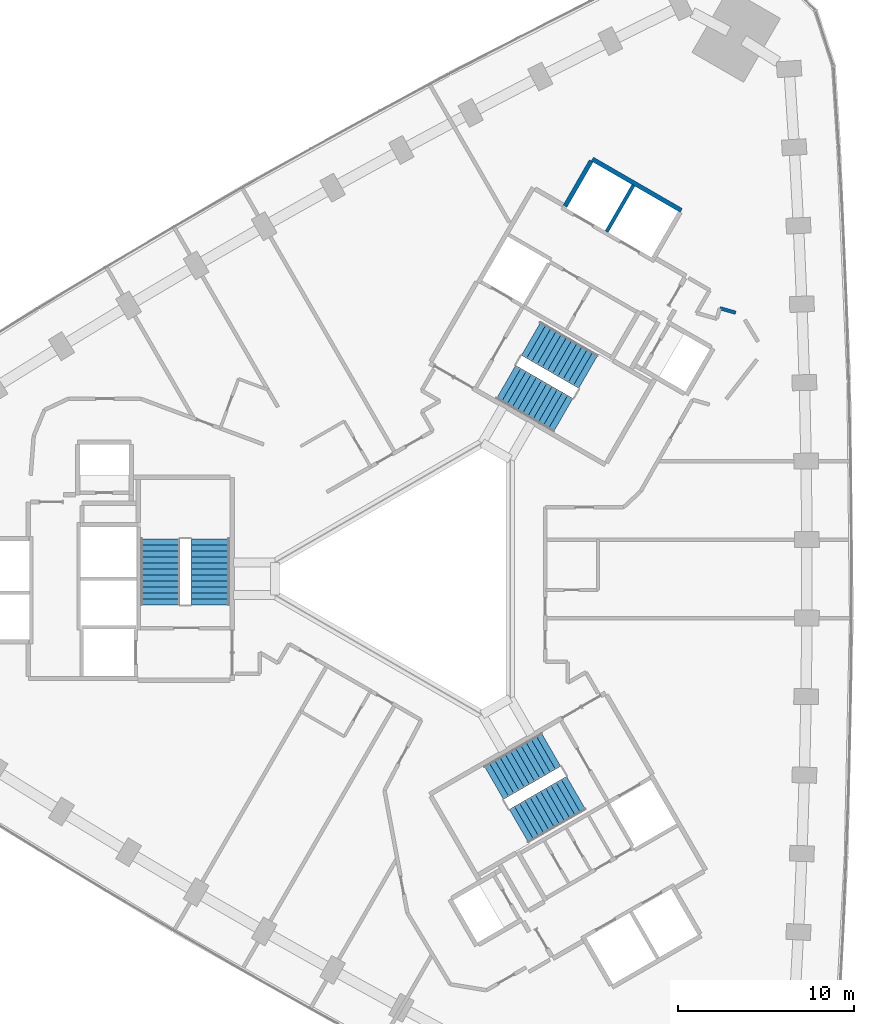
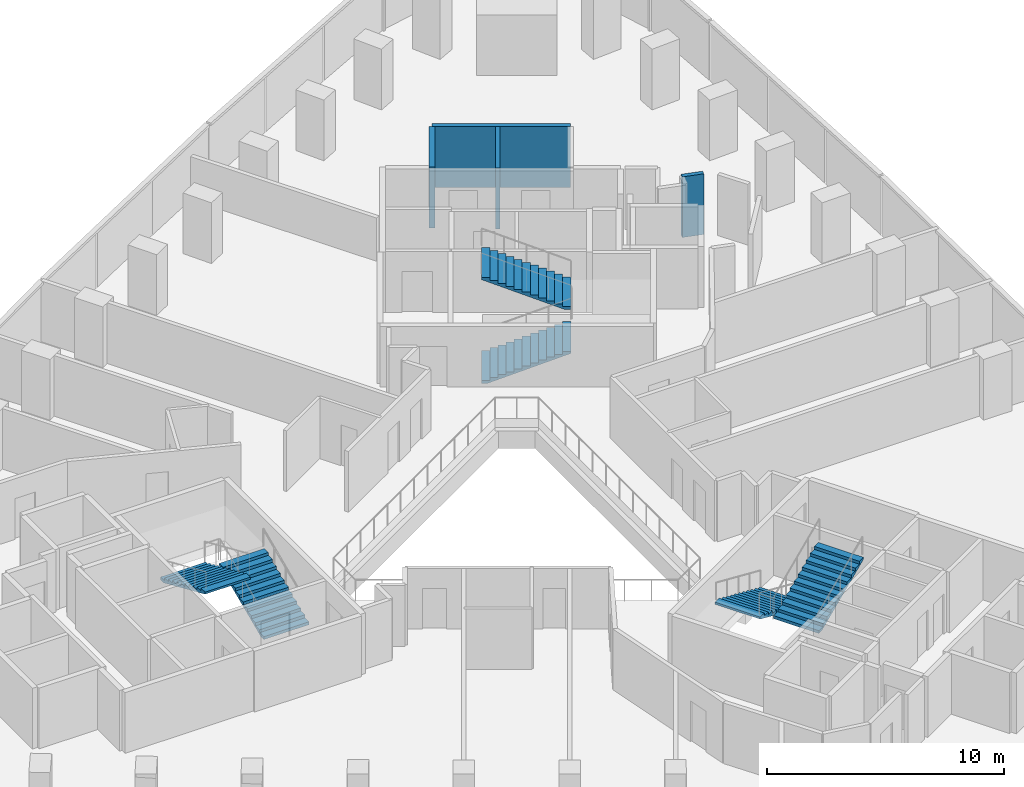
# One storey, part 12 of 13: 6 stair flights, 4 walls, 3 elements without a shape of their own.
"""IFC4 building model written with IfcOpenShell, lengths in metres."""

from ifc_helpers import new_model, si_unit, direction, frame, frame_2d, origin, place, context, subcontext, project, spatial, polyline, rectangle, outline, extrude, material, layer, layer_set, type_object, element, aggregate, save


model = new_model("IFC4")

# Units and contexts
model_context = context("Model", 3, precision=1e-05, world=origin(), true_north=direction((0.0, 1.0)))
body_context = subcontext(model_context, "Body", "Model", "MODEL_VIEW")
ifc_project = project(units=[si_unit("LENGTHUNIT", "METRE"), si_unit("AREAUNIT", "SQUARE_METRE"), si_unit("VOLUMEUNIT", "CUBIC_METRE"), si_unit("PLANEANGLEUNIT", "RADIAN"), si_unit("MASSUNIT", "GRAM", prefix="KILO")], contexts=[model_context])

# Site, building, storey
site_placement = place(None, origin())
site = spatial("IfcSite", under=ifc_project, at=site_placement, CompositionType="ELEMENT")
building_placement = place(site_placement, origin())
building = spatial("IfcBuilding", under=site, at=building_placement, Name="Tamra Quay Hotel Tower", CompositionType="ELEMENT")
storey_placement = place(building_placement, frame((0.0, 0.0, 60.199951171875)))
storey = spatial("IfcBuildingStorey", under=building, at=storey_placement, Name="L13", CompositionType="ELEMENT", Elevation=60.199951171875)

# Walls
ifc_material_1 = material(Name="Concrete M70", Category="concrete")
ifc_layer_1 = layer(ifc_material_1, 0.199951171875)
ifc_layer_set_1 = layer_set([ifc_layer_1], Name="Concrete M70 core wall 200")
wall_type_1 = type_object("IfcWallType", Name="Concrete M70 core wall 200", PredefinedType="SHEAR", material=ifc_layer_set_1)
wall_1_placement = place(storey_placement, frame((10.48876953125, 19.76708984375, 0.0), z_axis=(0.0, 0.0, 1.0), x_axis=(0.499946628782, 0.866056215479, 0.0)))
element("IfcWall", 1, at=wall_1_placement, inside=storey, type_object=wall_type_1, Name="CW2", PredefinedType="SHEAR", context=body_context, shape_type="SweptSolid", body=[
    extrude(rectangle(XDim=3.048095703125, YDim=0.199951171875, at=frame_2d((1.52392578125, 0.0))), origin(), (0.0, 0.0, 1.0), 3.125),
])
ifc_layer_2 = layer(ifc_material_1, 0.25)
ifc_layer_set_2 = layer_set([ifc_layer_2], Name="Concrete M70 core wall 250")
wall_type_2 = type_object("IfcWallType", Name="Concrete M70 core wall 250", PredefinedType="SHEAR", material=ifc_layer_set_2)
wall_2_placement = place(storey_placement, frame((9.672607421875, 23.9033203125, 0.0), z_axis=(0.0, 0.0, 1.0), x_axis=(0.86603616409, -0.499981362141, 0.0)))
element("IfcWall", 2, at=wall_2_placement, inside=storey, type_object=wall_type_2, Name="CW1", PredefinedType="SHEAR", context=body_context, shape_type="SweptSolid", body=[
    extrude(rectangle(XDim=5.849853515625, YDim=0.25, at=frame_2d((2.9248046875, 0.0))), origin(), (0.0, 0.0, 1.0), 3.125),
])
wall_3_placement = place(storey_placement, frame((8.12255859375, 21.21875, 0.0), z_axis=(0.0, 0.0, 1.0), x_axis=(0.499987686533, 0.866032512851, 0.0)))
element("IfcWall", 3, at=wall_3_placement, inside=storey, type_object=wall_type_2, Name="CW1", PredefinedType="SHEAR", context=body_context, shape_type="SweptSolid", body=[
    extrude(rectangle(XDim=2.974609375, YDim=0.25, at=frame_2d((1.4873046875, 0.0))), origin(), (0.0, 0.0, 1.0), 3.125),
])
ifc_material_2 = material(Name="Partition corridor wall")
ifc_layer_3 = layer(ifc_material_2, 0.199951171875)
ifc_layer_set_3 = layer_set([ifc_layer_3], Name="Partition corridor wall")
wall_type_3 = type_object("IfcWallType", Name="Partition corridor wall", PredefinedType="PARTITIONING", material=ifc_layer_set_3)
wall_4_placement = place(storey_placement, frame((16.93505859375, 15.409912109375, 0.0), z_axis=(0.0, 0.0, 1.0), x_axis=(0.961602664273, -0.274445470107, 0.0)))
element("IfcWall", 4, at=wall_4_placement, inside=storey, type_object=wall_type_3, Name="W-C", PredefinedType="PARTITIONING", context=body_context, shape_type="SweptSolid", body=[
    extrude(rectangle(XDim=0.935791015625, YDim=0.199951171875, at=frame_2d((0.4677734375, 0.0))), origin(), (0.0, 0.0, 1.0), 3.125),
])

# Stair, stair flights
ifc_material_3 = material(Name="Exit stair 2200 24 risers 150.0 going 342")
stair_type = type_object("IfcStairType", Name="Exit stair 2200 24 risers 150.0 going 342", PredefinedType="HALF_TURN_STAIR", material=ifc_material_3)
stair_1_placement = place(storey_placement, origin())
stair_1 = element("IfcStair", 5, at=stair_1_placement, inside=storey, type_object=stair_type, Name="L13 Exit stair ST3", PredefinedType="HALF_TURN_STAIR")
ifc_material_4 = material(Name="Exit stair flight 2200 12 risers 150.0")
stair_flight_type = type_object("IfcStairFlightType", Name="Exit stair flight 2200 12 risers 150.0", PredefinedType="STRAIGHT", material=ifc_material_4)
stair_flight_1_placement = place(storey_placement, frame((-12.082275390625, -1.47998046875, 0.0), z_axis=(0.0, 0.0, 1.0), x_axis=(0.0, 1.0, 0.0)))
stair_flight_1 = element("IfcStairFlight", 6, at=stair_flight_1_placement, type_object=stair_flight_type, Name="ST3 flight 1", NumberOfRisers=12, NumberOfTreads=11, PredefinedType="STRAIGHT", RiserHeight=0.15, TreadLength=0.342, context=body_context, shape_type="SweptSolid", body=[
    extrude(outline(polyline([(0.0, 0.0), (0.0, 0.14990234375), (0.342041015625, 0.14990234375), (0.342041015625, 0.300048828125), (0.68408203125, 0.300048828125), (0.68408203125, 0.449951171875), (1.02587890625, 0.449951171875), (1.02587890625, 0.60009765625), (1.367919921875, 0.60009765625), (1.367919921875, 0.75), (1.7099609375, 0.75), (1.7099609375, 0.89990234375), (2.052001953125, 0.89990234375), (2.052001953125, 1.050048828125), (2.39404296875, 1.050048828125), (2.39404296875, 1.199951171875), (2.736083984375, 1.199951171875), (2.736083984375, 1.35009765625), (3.077880859375, 1.35009765625), (3.077880859375, 1.5), (3.419921875, 1.5), (3.419921875, 1.64990234375), (3.761962890625, 1.64990234375), (3.761962890625, 1.800048828125), (3.761962890625, 1.540771484375), (0.249267578125, 0.0), (0.0, 0.0)])), frame((0.0, 1.10009765625, 0.0), z_axis=(0.0, -1.0, 0.0), x_axis=(1.0, 0.0, 0.0)), (0.0, 0.0, 1.0), 2.199951171875),
])
stair_flight_2_placement = place(storey_placement, frame((-14.94140625, 2.281982421875, 1.800048828125), z_axis=(0.0, 0.0, 1.0), x_axis=(0.0, -1.0, 0.0)))
stair_flight_2 = element("IfcStairFlight", 7, at=stair_flight_2_placement, type_object=stair_flight_type, Name="ST3 flight 2", NumberOfRisers=12, NumberOfTreads=11, PredefinedType="STRAIGHT", RiserHeight=0.15, TreadLength=0.342, context=body_context, shape_type="SweptSolid", body=[
    extrude(outline(polyline([(0.0, 0.0), (0.0, 0.14990234375), (0.342041015625, 0.14990234375), (0.342041015625, 0.300048828125), (0.68408203125, 0.300048828125), (0.68408203125, 0.449951171875), (1.02587890625, 0.449951171875), (1.02587890625, 0.60009765625), (1.367919921875, 0.60009765625), (1.367919921875, 0.75), (1.7099609375, 0.75), (1.7099609375, 0.89990234375), (2.052001953125, 0.89990234375), (2.052001953125, 1.050048828125), (2.39404296875, 1.050048828125), (2.39404296875, 1.199951171875), (2.736083984375, 1.199951171875), (2.736083984375, 1.35009765625), (3.077880859375, 1.35009765625), (3.077880859375, 1.5), (3.419921875, 1.5), (3.419921875, 1.64990234375), (3.761962890625, 1.64990234375), (3.761962890625, 1.800048828125), (3.761962890625, 1.540771484375), (0.249267578125, 0.0), (0.0, 0.0)])), frame((0.0, 1.10009765625, 0.0), z_axis=(0.0, -1.0, 0.0), x_axis=(1.0, 0.0, 0.0)), (0.0, 0.0, 1.0), 2.199951171875),
])
aggregate(stair_1, [stair_flight_1, stair_flight_2])

stair_2_placement = place(storey_placement, origin())
stair_2 = element("IfcStair", 8, at=stair_2_placement, inside=storey, type_object=stair_type, Name="L13 Exit stair ST1", PredefinedType="HALF_TURN_STAIR")
stair_flight_3_placement = place(storey_placement, frame((4.75927734375, 11.20361328125, 0.0), z_axis=(0.0, 0.0, 1.0), x_axis=(0.866025403784, -0.5, 0.0)))
stair_flight_3 = element("IfcStairFlight", 9, at=stair_flight_3_placement, type_object=stair_flight_type, Name="ST1 flight 1", NumberOfRisers=12, NumberOfTreads=11, PredefinedType="STRAIGHT", RiserHeight=0.15, TreadLength=0.342, context=body_context, shape_type="SweptSolid", body=[
    extrude(outline(polyline([(0.0, 0.0), (0.0, 0.14990234375), (0.342041015625, 0.14990234375), (0.342041015625, 0.300048828125), (0.68408203125, 0.300048828125), (0.68408203125, 0.449951171875), (1.02587890625, 0.449951171875), (1.02587890625, 0.60009765625), (1.367919921875, 0.60009765625), (1.367919921875, 0.75), (1.7099609375, 0.75), (1.7099609375, 0.89990234375), (2.052001953125, 0.89990234375), (2.052001953125, 1.050048828125), (2.39404296875, 1.050048828125), (2.39404296875, 1.199951171875), (2.736083984375, 1.199951171875), (2.736083984375, 1.35009765625), (3.077880859375, 1.35009765625), (3.077880859375, 1.5), (3.419921875, 1.5), (3.419921875, 1.64990234375), (3.761962890625, 1.64990234375), (3.761962890625, 1.800048828125), (3.761962890625, 1.540771484375), (0.249267578125, 0.0), (0.0, 0.0)])), frame((0.0, 1.10009765625, 0.0), z_axis=(0.0, -1.0, 0.0), x_axis=(1.0, 0.0, 0.0)), (0.0, 0.0, 1.0), 2.199951171875),
])
stair_flight_4_placement = place(storey_placement, frame((9.44677734375, 11.798583984375, 1.800048828125), z_axis=(0.0, 0.0, 1.0), x_axis=(-0.866025403784, 0.5, 0.0)))
stair_flight_4 = element("IfcStairFlight", 10, at=stair_flight_4_placement, type_object=stair_flight_type, Name="ST1 flight 2", NumberOfRisers=12, NumberOfTreads=11, PredefinedType="STRAIGHT", RiserHeight=0.15, TreadLength=0.342, context=body_context, shape_type="SweptSolid", body=[
    extrude(outline(polyline([(0.0, 0.0), (0.0, 0.14990234375), (0.342041015625, 0.14990234375), (0.342041015625, 0.300048828125), (0.68408203125, 0.300048828125), (0.68408203125, 0.449951171875), (1.02587890625, 0.449951171875), (1.02587890625, 0.60009765625), (1.367919921875, 0.60009765625), (1.367919921875, 0.75), (1.7099609375, 0.75), (1.7099609375, 0.89990234375), (2.052001953125, 0.89990234375), (2.052001953125, 1.050048828125), (2.39404296875, 1.050048828125), (2.39404296875, 1.199951171875), (2.736083984375, 1.199951171875), (2.736083984375, 1.35009765625), (3.077880859375, 1.35009765625), (3.077880859375, 1.5), (3.419921875, 1.5), (3.419921875, 1.64990234375), (3.761962890625, 1.64990234375), (3.761962890625, 1.800048828125), (3.761962890625, 1.540771484375), (0.249267578125, 0.0), (0.0, 0.0)])), frame((0.0, 1.10009765625, 0.0), z_axis=(0.0, -1.0, 0.0), x_axis=(1.0, 0.0, 0.0)), (0.0, 0.0, 1.0), 2.199951171875),
])
aggregate(stair_2, [stair_flight_3, stair_flight_4])

stair_3_placement = place(storey_placement, origin())
stair_3 = element("IfcStair", 11, at=stair_3_placement, inside=storey, type_object=stair_type, Name="L13 Exit stair ST2", PredefinedType="HALF_TURN_STAIR")
stair_flight_5_placement = place(storey_placement, frame((7.322998046875, -9.7236328125, 0.0), z_axis=(0.0, 0.0, 1.0), x_axis=(-0.866025403784, -0.5, 0.0)))
stair_flight_5 = element("IfcStairFlight", 12, at=stair_flight_5_placement, type_object=stair_flight_type, Name="ST2 flight 1", NumberOfRisers=12, NumberOfTreads=11, PredefinedType="STRAIGHT", RiserHeight=0.15, TreadLength=0.342, context=body_context, shape_type="SweptSolid", body=[
    extrude(outline(polyline([(0.0, 0.0), (0.0, 0.14990234375), (0.342041015625, 0.14990234375), (0.342041015625, 0.300048828125), (0.68408203125, 0.300048828125), (0.68408203125, 0.449951171875), (1.02587890625, 0.449951171875), (1.02587890625, 0.60009765625), (1.367919921875, 0.60009765625), (1.367919921875, 0.75), (1.7099609375, 0.75), (1.7099609375, 0.89990234375), (2.052001953125, 0.89990234375), (2.052001953125, 1.050048828125), (2.39404296875, 1.050048828125), (2.39404296875, 1.199951171875), (2.736083984375, 1.199951171875), (2.736083984375, 1.35009765625), (3.077880859375, 1.35009765625), (3.077880859375, 1.5), (3.419921875, 1.5), (3.419921875, 1.64990234375), (3.761962890625, 1.64990234375), (3.761962890625, 1.800048828125), (3.761962890625, 1.540771484375), (0.249267578125, 0.0), (0.0, 0.0)])), frame((0.0, 1.10009765625, 0.0), z_axis=(0.0, -1.0, 0.0), x_axis=(1.0, 0.0, 0.0)), (0.0, 0.0, 1.0), 2.199951171875),
])
stair_flight_6_placement = place(storey_placement, frame((5.494384765625, -14.08056640625, 1.800048828125), z_axis=(0.0, 0.0, 1.0), x_axis=(0.866025403784, 0.5, 0.0)))
stair_flight_6 = element("IfcStairFlight", 13, at=stair_flight_6_placement, type_object=stair_flight_type, Name="ST2 flight 2", NumberOfRisers=12, NumberOfTreads=11, PredefinedType="STRAIGHT", RiserHeight=0.15, TreadLength=0.342, context=body_context, shape_type="SweptSolid", body=[
    extrude(outline(polyline([(0.0, 0.0), (0.0, 0.14990234375), (0.342041015625, 0.14990234375), (0.342041015625, 0.300048828125), (0.68408203125, 0.300048828125), (0.68408203125, 0.449951171875), (1.02587890625, 0.449951171875), (1.02587890625, 0.60009765625), (1.367919921875, 0.60009765625), (1.367919921875, 0.75), (1.7099609375, 0.75), (1.7099609375, 0.89990234375), (2.052001953125, 0.89990234375), (2.052001953125, 1.050048828125), (2.39404296875, 1.050048828125), (2.39404296875, 1.199951171875), (2.736083984375, 1.199951171875), (2.736083984375, 1.35009765625), (3.077880859375, 1.35009765625), (3.077880859375, 1.5), (3.419921875, 1.5), (3.419921875, 1.64990234375), (3.761962890625, 1.64990234375), (3.761962890625, 1.800048828125), (3.761962890625, 1.540771484375), (0.249267578125, 0.0), (0.0, 0.0)])), frame((0.0, 1.10009765625, 0.0), z_axis=(0.0, -1.0, 0.0), x_axis=(1.0, 0.0, 0.0)), (0.0, 0.0, 1.0), 2.199951171875),
])
aggregate(stair_3, [stair_flight_5, stair_flight_6])

save(model, "model.ifc")
